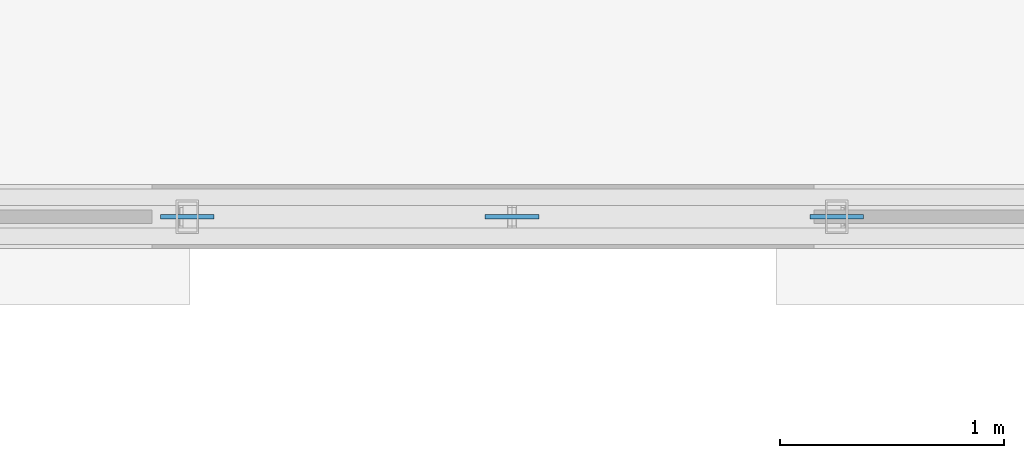
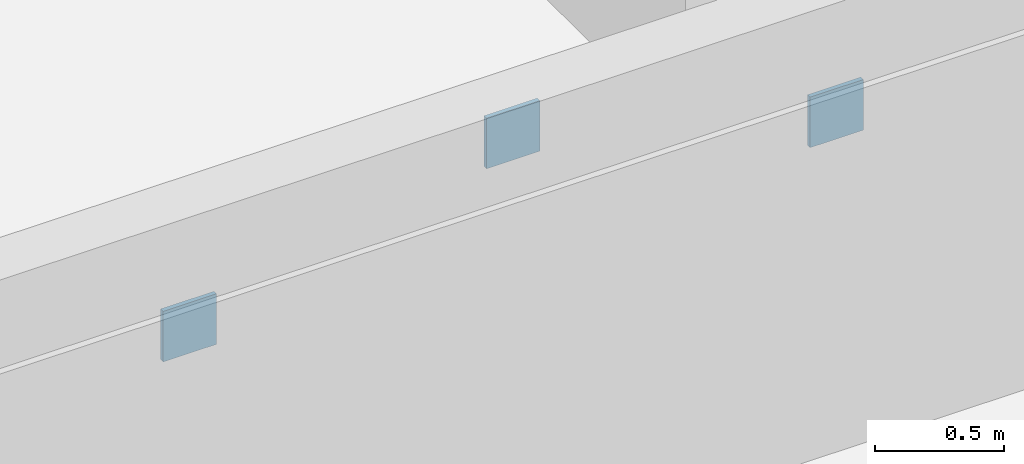
# One storey, part 65 of 138: 3 plates.
"""IFC4 building model written with IfcOpenShell, lengths in metres."""

from ifc_helpers import new_model, si_unit, direction, frame, origin, origin_2d, place, context, subcontext, project, spatial, rectangle, extrude, material, layer, layer_set, type_object, element, save


model = new_model("IFC4")

# Units and contexts
model_context = context("Model", 3, precision=1e-05, world=origin(), true_north=direction((0.0, 1.0)))
body_context = subcontext(model_context, "Body", "Model", "MODEL_VIEW")
ifc_project = project(units=[si_unit("LENGTHUNIT", "METRE"), si_unit("AREAUNIT", "SQUARE_METRE"), si_unit("VOLUMEUNIT", "CUBIC_METRE"), si_unit("PLANEANGLEUNIT", "RADIAN"), si_unit("MASSUNIT", "GRAM", prefix="KILO"), si_unit("THERMODYNAMICTEMPERATUREUNIT", "KELVIN"), si_unit("POWERUNIT", "WATT")], contexts=[model_context])

# Site, building, storey
site_placement = place(None, origin())
site = spatial("IfcSite", under=ifc_project, at=site_placement, CompositionType="ELEMENT")
building_placement = place(site_placement, origin())
building = spatial("IfcBuilding", under=site, at=building_placement, Name="Tavuni Mirador Residences", CompositionType="ELEMENT")
storey_placement = place(building_placement, origin())
storey = spatial("IfcBuildingStorey", under=building, at=storey_placement, Name="L00", CompositionType="ELEMENT", Elevation=0.0)

# Plates
ifc_material = material(Name="Structural steel S355", Category="steel")
ifc_layer = layer(ifc_material, 0.01806640625, Name="Structural steel S355", Category="steel")
ifc_layer_set = layer_set([ifc_layer], Name="Structural steel S355")
plate_type = type_object("IfcPlateType", Name="PLT-GP05", PredefinedType="USERDEFINED", material=ifc_layer_set)
for number, where, z_axis, x_axis, name in (
    (1, (27.347900390625, 7.199951171875, 3.4814453125), (0.0, 0.0, 1.0), (1.0, 0.0, 0.0), "ARCH-BLKA-S-03-GQ1"),
    (2, (28.800048828125, 7.199951171875, 3.89013671875), (0.0, 0.0, 1.0), (1.0, 0.0, 0.0), "ARCH-BLKA-S-03-GCR"),
    (3, (30.251953125, 7.199951171875, 3.4814453125), (0.0, 0.0, 1.0), (1.0, 0.0, 0.0), "ARCH-BLKA-S-03-GQ2"),
):
    element("IfcPlate", number, at=place(storey_placement, frame(where, z_axis=z_axis, x_axis=x_axis)), inside=storey, type_object=plate_type, Name=name, ObjectType="GUSSET PLATE", PredefinedType="USERDEFINED", context=body_context, shape_type="SweptSolid", body=[
        extrude(rectangle(XDim=0.239990234375, YDim=0.02001953125, at=origin_2d()), origin(), (0.0, 0.0, 1.0), 0.239990234375),
    ])

save(model, "model.ifc")
